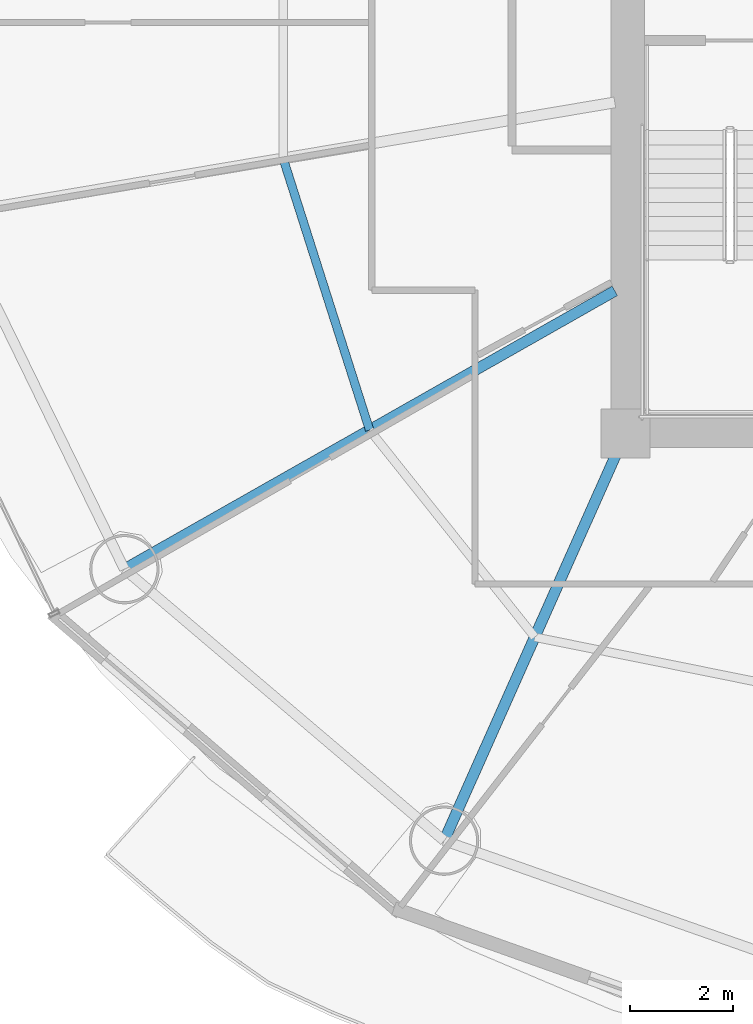
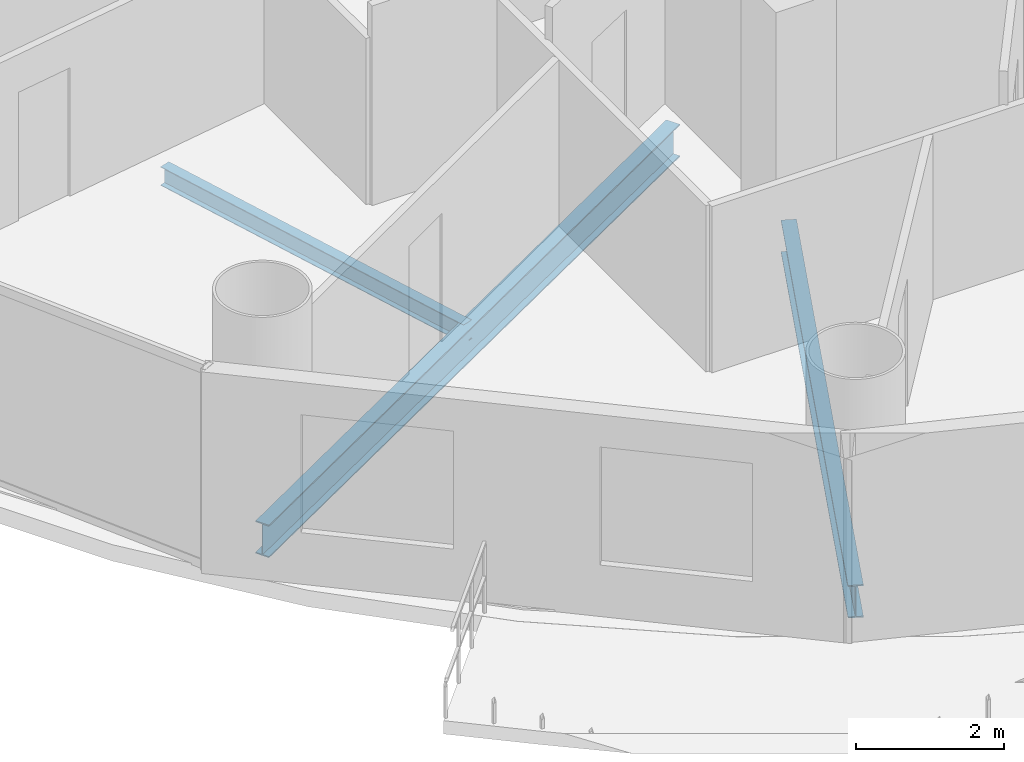
# One storey, part 3 of 26: 3 beams.
"""IFC4 building model written with IfcOpenShell, lengths in metres."""

import ifcopenshell
import ifcopenshell.guid

model = None  # the IFC model being written
_history = None  # IfcOwnerHistory: only IFC2X3 demands one
_inside = {}  # id of a spatial element -> (the spatial element, [elements in it])
_under = {}  # id of a project, library or spatial element -> (it, [spatial elements below it])
_declared = {}  # id of a project -> (the project, [libraries it declares])
_typed = {}  # id of a type object -> (the type object, [elements of that type])
_made_of = {}  # id of a material, layer set ... -> (it, [elements and type objects made of it])


def new_model(schema):
    """Start an empty IFC model of exactly this schema.

    Asked for "IFC4X3", IfcOpenShell would pick the latest addendum, in which some entities
    have other attributes; the version numbers below select the first issue.
    IFC2X3 requires an IfcOwnerHistory on every rooted entity: one is made here for all.
    """
    global model, _history
    if schema == "IFC4X3":
        model = ifcopenshell.file(schema_version=(4, 3, 0, 0))
    else:
        model = ifcopenshell.file(schema=schema)
    _inside.clear()
    _under.clear()
    _declared.clear()
    _typed.clear()
    _made_of.clear()
    _history = None
    if model.schema == "IFC2X3":
        org = make("IfcOrganization", Name="unknown")
        user = make(
            "IfcPersonAndOrganization",
            ThePerson=make("IfcPerson", FamilyName="unknown"),
            TheOrganization=org,
        )
        app = make(
            "IfcApplication",
            ApplicationDeveloper=org,
            Version="unknown",
            ApplicationFullName="unknown",
            ApplicationIdentifier="unknown",
        )
        _history = make(
            "IfcOwnerHistory",
            OwningUser=user,
            OwningApplication=app,
            ChangeAction="ADDED",
            CreationDate=0,
        )
    return model


def make(cls, **values):
    """One entity of the class cls with the attributes given. An attribute that is None is left unset."""
    return model.create_entity(
        cls, **{name: value for name, value in values.items() if value is not None}
    )


def rooted(cls, **values):
    """An entity with a GlobalId (a new one), such as an element, a storey or a relation."""
    return make(cls, GlobalId=ifcopenshell.guid.new(), OwnerHistory=_history, **values)


def si_unit(unit_type, name, prefix=None):
    """IfcSIUnit, for example si_unit("LENGTHUNIT", "METRE", prefix="MILLI")."""
    return make("IfcSIUnit", UnitType=unit_type, Prefix=prefix, Name=name)


def assignment(units):
    """IfcUnitAssignment: the units of a project."""
    return None if units is None else make("IfcUnitAssignment", Units=units)


def point(xyz):
    """IfcCartesianPoint."""
    return None if xyz is None else make("IfcCartesianPoint", Coordinates=xyz)


def direction(xyz):
    """IfcDirection."""
    return None if xyz is None else make("IfcDirection", DirectionRatios=xyz)


def frame(location, z_axis=None, x_axis=None):
    """IfcAxis2Placement3D, a coordinate frame: its origin and axes. An axis left out is left unset."""
    return make(
        "IfcAxis2Placement3D",
        Location=point(location),
        Axis=direction(z_axis),
        RefDirection=direction(x_axis),
    )


def frame_2d(location, x_axis=None):
    """IfcAxis2Placement2D, a coordinate frame in the plane: its origin and x axis."""
    return make(
        "IfcAxis2Placement2D", Location=point(location), RefDirection=direction(x_axis)
    )


def origin():
    """The frame at (0, 0, 0) with its axes left unset."""
    return frame((0.0, 0.0, 0.0))


def origin_2d():
    """The frame at (0, 0) in the plane with its x axis left unset."""
    return frame_2d((0.0, 0.0))


def place(relative_to, where):
    """IfcLocalPlacement: puts the frame where relative to a parent placement (None: the world)."""
    return make(
        "IfcLocalPlacement", PlacementRelTo=relative_to, RelativePlacement=where
    )


def context(
    kind, dimensions, precision=None, world=None, true_north=None, identifier=None
):
    """IfcGeometricRepresentationContext, for example the 3D "Model" context."""
    return make(
        "IfcGeometricRepresentationContext",
        ContextIdentifier=identifier,
        ContextType=kind,
        CoordinateSpaceDimension=dimensions,
        Precision=precision,
        WorldCoordinateSystem=world,
        TrueNorth=true_north,
    )


def subcontext(parent, identifier, kind, view, scale=None):
    """IfcGeometricRepresentationSubContext, for example "Body" below "Model"."""
    return make(
        "IfcGeometricRepresentationSubContext",
        ContextIdentifier=identifier,
        ContextType=kind,
        ParentContext=parent,
        TargetScale=scale,
        TargetView=view,
    )


def project(units=None, contexts=None):
    """IfcProject with its units and contexts."""
    return rooted(
        "IfcProject",
        Name="project",
        RepresentationContexts=contexts,
        UnitsInContext=assignment(units),
    )


def spatial(cls, under=None, at=None, **own):
    """A site, building, storey or space (cls), placed at a placement, below another one or the project."""
    s = rooted(cls, ObjectPlacement=at, **own)
    if under is not None:
        _under.setdefault(under.id(), (under, []))[1].append(s)
    return s


def profile(cls, at=None, kind="AREA", **sizes):
    """A parametric profile (cls). Its sizes go by their IFC names, for example OverallWidth=200.0."""
    return make(cls, ProfileType=kind, Position=at, **sizes)


def i_section(**sizes):
    """IfcIShapeProfileDef."""
    return profile("IfcIShapeProfileDef", **sizes)


def extrude(swept, where, along, depth):
    """IfcExtrudedAreaSolid: the profile swept, set in the frame where, extruded along a direction by depth."""
    return make(
        "IfcExtrudedAreaSolid",
        SweptArea=swept,
        Position=where,
        ExtrudedDirection=direction(along),
        Depth=depth,
    )


def shape(context_of_items, identifier, shape_type, items):
    """IfcShapeRepresentation: the items that make up one representation, for example the "Body"."""
    return make(
        "IfcShapeRepresentation",
        ContextOfItems=context_of_items,
        RepresentationIdentifier=identifier,
        RepresentationType=shape_type,
        Items=items,
    )


def material(Name=None, Category=None):
    """IfcMaterial."""
    return make("IfcMaterial", Name=Name, Category=Category)


def material_profile(
    of_material, cross_section, Name=None, Category=None, Priority=None
):
    """IfcMaterialProfile: a cross section and its material."""
    return make(
        "IfcMaterialProfile",
        Name=Name,
        Material=of_material,
        Profile=cross_section,
        Priority=Priority,
        Category=Category,
    )


def profile_set(profiles, Name=None, composite=None):
    """IfcMaterialProfileSet."""
    return make(
        "IfcMaterialProfileSet",
        Name=Name,
        MaterialProfiles=profiles,
        CompositeProfile=composite,
    )


def made_of(thing, what):
    """Note that an element or type object is made of a material, layer set ...; save() writes the relation."""
    if what is not None:
        _made_of.setdefault(what.id(), (what, []))[1].append(thing)
    return thing


def type_object(cls, material=None, **own):
    """A type object (cls), such as IfcWallType, which elements share."""
    return made_of(rooted(cls, **own), material)


def element(
    cls,
    number,
    at=None,
    inside=None,
    cuts=None,
    type_object=None,
    material=None,
    context=None,
    identifier="Body",
    shape_type=None,
    held_by="IfcProductDefinitionShape",
    body=None,
    shapes=None,
    **own,
):
    """One element of the class cls, such as IfcWall. Its Tag is "e" and its number.

    at: its placement. inside: the storey or other place that contains it. cuts: it is an
    opening in that element (IfcRelVoidsElement). A single representation is given by context,
    identifier, shape_type and body (its items); several are given by shapes. held_by: the class
    of the entity that holds the representations. save() writes the other relations.
    """
    e = rooted(cls, Tag="e%d" % number, ObjectPlacement=at, **own)
    if body is not None:
        shapes = [shape(context, identifier, shape_type, body)]
    if shapes is not None:
        e.Representation = make(held_by, Representations=shapes)
    if inside is not None:
        _inside.setdefault(inside.id(), (inside, []))[1].append(e)
    if cuts is not None:
        rooted(
            "IfcRelVoidsElement", RelatingBuildingElement=cuts, RelatedOpeningElement=e
        )
    if type_object is not None:
        _typed.setdefault(type_object.id(), (type_object, []))[1].append(e)
    return made_of(e, material)


def aggregate(whole, parts):
    """IfcRelAggregates: a whole, such as a stair, and the parts it consists of."""
    return rooted("IfcRelAggregates", RelatingObject=whole, RelatedObjects=parts)


def save(model, path):
    """Write the relations noted so far, then the file.

    IfcRelAggregates (storeys below a building ...), IfcRelContainedInSpatialStructure (elements
    in a storey), IfcRelDefinesByType, IfcRelAssociatesMaterial and IfcRelDeclares: one each for
    every whole, place, type object, material and project.
    """
    for whole, parts in _under.values():
        aggregate(whole, parts)
    for where, things in _inside.values():
        rooted(
            "IfcRelContainedInSpatialStructure",
            RelatedElements=things,
            RelatingStructure=where,
        )
    for kind, things in _typed.values():
        rooted("IfcRelDefinesByType", RelatedObjects=things, RelatingType=kind)
    for what, things in _made_of.values():
        rooted("IfcRelAssociatesMaterial", RelatedObjects=things, RelatingMaterial=what)
    for by, libraries in _declared.values():
        rooted("IfcRelDeclares", RelatingContext=by, RelatedDefinitions=libraries)
    model.write(path)


model = new_model("IFC4")

# Units and contexts
model_context = context("Model", 3, precision=1e-05, world=origin(), true_north=direction((-0.2419218956, 0.970295726276)))
body_context = subcontext(model_context, "Body", "Model", "MODEL_VIEW")
ifc_project = project(units=[si_unit("LENGTHUNIT", "METRE"), si_unit("AREAUNIT", "SQUARE_METRE"), si_unit("VOLUMEUNIT", "CUBIC_METRE"), si_unit("PLANEANGLEUNIT", "RADIAN"), si_unit("MASSUNIT", "GRAM", prefix="KILO")], contexts=[model_context])

# Site, building, storey
site_placement = place(None, origin())
site = spatial("IfcSite", under=ifc_project, at=site_placement, CompositionType="ELEMENT")
building_placement = place(site_placement, origin())
building = spatial("IfcBuilding", under=site, at=building_placement, Name="Cobrevalo Terracotta Tower", CompositionType="ELEMENT")
storey_placement = place(building_placement, frame((0.0, 0.0, 175.0)))
storey = spatial("IfcBuildingStorey", under=building, at=storey_placement, Name="L46", CompositionType="ELEMENT", Elevation=175.0)

# Beams
ifc_material = material(Name="Steel S355", Category="steel")
ifc_material_profile_1 = material_profile(ifc_material, i_section(OverallWidth=0.2109375, OverallDepth=0.5390625, WebThickness=0.01171875, FlangeThickness=0.018798828125, at=origin_2d()), Name="W 530x109")
ifc_profile_set_1 = profile_set([ifc_material_profile_1], Name="Steel S355")
beam_type_1 = type_object("IfcBeamType", Name="Structural Beam W 530x109 (Steel S355)", PredefinedType="BEAM", material=ifc_profile_set_1)
beam_1_placement = place(storey_placement, frame((19.250244140625, 16.160888671875, -0.53955078125), z_axis=(0.869743726706, 0.493503647257, 0.0), x_axis=(-0.493503647257, 0.869743726706, 0.0)))
element("IfcBeam", 1, at=beam_1_placement, inside=storey, type_object=beam_type_1, Name="L46 radial floor girder 10", PredefinedType="BEAM", context=body_context, shape_type="SweptSolid", body=[
    extrude(i_section(OverallWidth=0.2109375, OverallDepth=0.5390625, WebThickness=0.01171875, FlangeThickness=0.018798828125, at=origin_2d()), origin(), (0.0, 0.0, 1.0), 10.97412109375),
])
beam_2_placement = place(storey_placement, frame((25.471923828125, 10.87744140625, -0.53955078125), z_axis=(0.406804395691, 0.913515289224, 0.0), x_axis=(-0.913515289224, 0.406804395691, 0.0)))
element("IfcBeam", 2, at=beam_2_placement, inside=storey, type_object=beam_type_1, Name="L46 radial floor girder 11", PredefinedType="BEAM", context=body_context, shape_type="SweptSolid", body=[
    extrude(i_section(OverallWidth=0.2109375, OverallDepth=0.5390625, WebThickness=0.01171875, FlangeThickness=0.018798828125, at=origin_2d()), origin(), (0.0, 0.0, 1.0), 8.672607421875),
])
ifc_material_profile_2 = material_profile(ifc_material, i_section(OverallWidth=0.1650390625, OverallDepth=0.31005859375, WebThickness=0.005859375, FlangeThickness=0.009765625, at=origin_2d()), Name="W 310x38.7")
ifc_profile_set_2 = profile_set([ifc_material_profile_2], Name="Steel S355")
beam_type_2 = type_object("IfcBeamType", Name="Structural Joist W 310x38.7 (Steel S355)", PredefinedType="JOIST", material=ifc_profile_set_2)
beam_3_placement = place(storey_placement, frame((22.339111328125, 24.154541015625, -0.425048828125), z_axis=(0.303497928386, -0.952832098255, 0.0), x_axis=(0.952832098255, 0.303497928386, 0.0)))
element("IfcBeam", 3, at=beam_3_placement, inside=storey, type_object=beam_type_2, Name="L46 circumferential secondary floor joist 09", PredefinedType="JOIST", context=body_context, shape_type="SweptSolid", body=[
    extrude(i_section(OverallWidth=0.1650390625, OverallDepth=0.31005859375, WebThickness=0.005859375, FlangeThickness=0.009765625, at=origin_2d()), origin(), (0.0, 0.0, 1.0), 5.54736328125),
])

save(model, "model.ifc")
